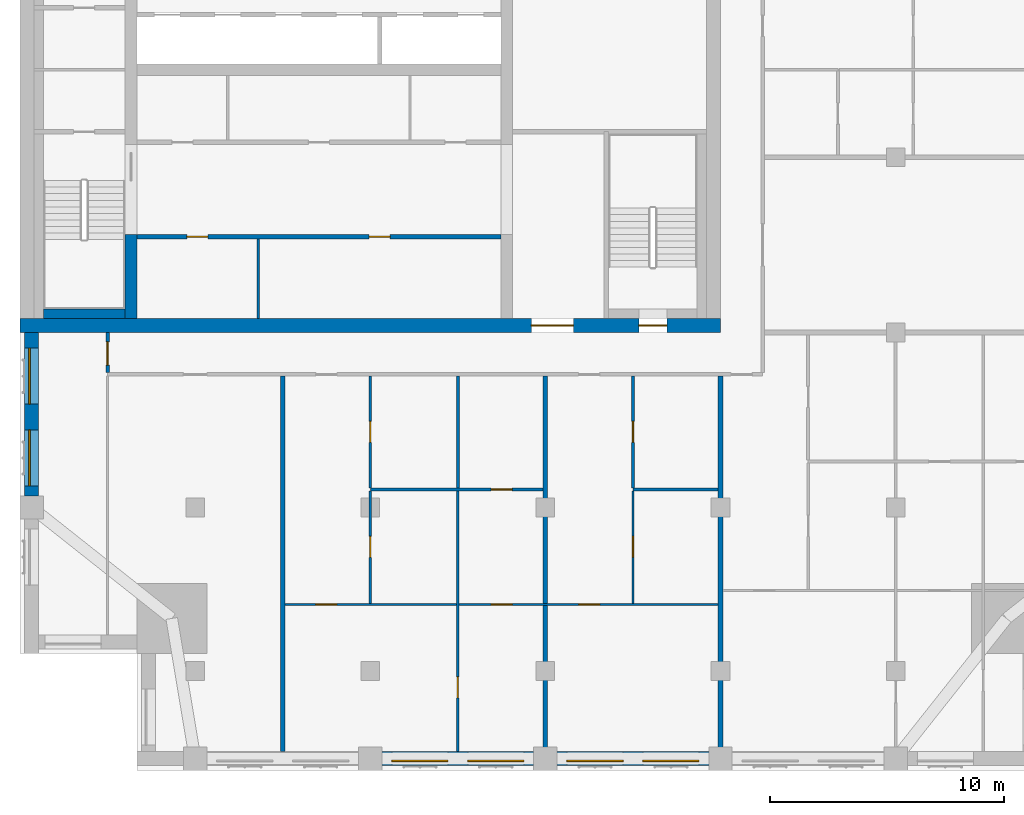
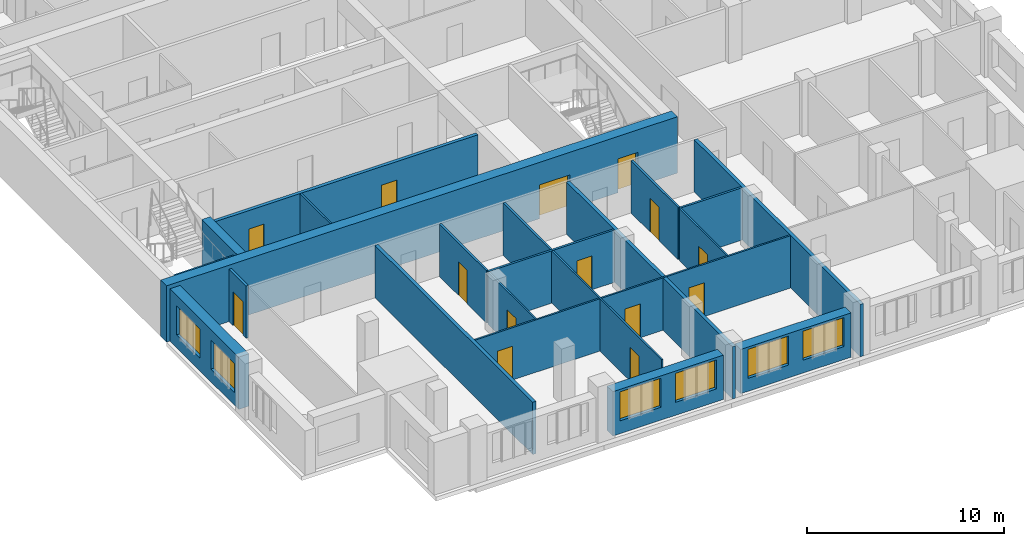
# One storey, part 3 of 11: 21 walls, 14 doors, 6 windows, 20 openings.
"""IFC4 building model written with IfcOpenShell, lengths in metres."""

from ifc_helpers import new_model, si_unit, direction, frame, frame_2d, origin, place, context, subcontext, project, spatial, rectangle, extrude, material, layer, layer_set, type_object, element, fill, save


model = new_model("IFC4")

# Units and contexts
model_context = context("Model", 3, precision=1e-05, world=origin(), true_north=direction((0.0, 1.0)))
body_context = subcontext(model_context, "Body", "Model", "MODEL_VIEW")
ifc_project = project(units=[si_unit("LENGTHUNIT", "METRE"), si_unit("AREAUNIT", "SQUARE_METRE"), si_unit("VOLUMEUNIT", "CUBIC_METRE"), si_unit("PLANEANGLEUNIT", "RADIAN"), si_unit("MASSUNIT", "GRAM", prefix="KILO")], contexts=[model_context])

# Site, building, storey
site_placement = place(None, origin())
site = spatial("IfcSite", under=ifc_project, at=site_placement, CompositionType="ELEMENT")
building_placement = place(site_placement, origin())
building = spatial("IfcBuilding", under=site, at=building_placement, Name="Tamorin Gate", CompositionType="ELEMENT")
storey_placement = place(building_placement, frame((0.0, 0.0, 233.699951171875)))
storey = spatial("IfcBuildingStorey", under=building, at=storey_placement, Name="L58", CompositionType="ELEMENT", Elevation=233.699951171875)

# Wall, openings, windows
ifc_material_1 = material(Name="Precast concrete C40/50", Category="concrete")
ifc_layer_1 = layer(ifc_material_1, 0.60009765625)
ifc_layer_set_1 = layer_set([ifc_layer_1], Name="Precast concrete C40/50")
wall_type_1 = type_object("IfcWallType", Name="Board-marked concrete facade panel 600", PredefinedType="SOLIDWALL", material=ifc_layer_set_1)
wall_1_placement = place(storey_placement, frame((45.5, 41.75, 0.0), z_axis=(0.0, 0.0, 1.0), x_axis=(1.0, 0.0, 0.0)))
wall_1 = element("IfcWall", 1, at=wall_1_placement, inside=storey, type_object=wall_type_1, Name="Facade panel", PredefinedType="SOLIDWALL", context=body_context, shape_type="SweptSolid", body=[
    extrude(rectangle(XDim=6.5, YDim=0.60009765625, at=frame_2d((3.25, 0.0))), origin(), (0.0, 0.0, 1.0), 2.75),
])
opening_1_placement = place(wall_1_placement, frame((0.425048828125, 0.0, 0.800048828125)))
opening_1 = element("IfcOpeningElement", 2, at=opening_1_placement, cuts=wall_1, Name="Opening WN1", PredefinedType="OPENING", context=body_context, shape_type="SweptSolid", body=[
    extrude(rectangle(XDim=2.39990234375, YDim=1.800048828125, at=frame_2d((1.199951171875, 0.89990234375))), frame((0.0, 0.31005859375, 0.0), z_axis=(0.0, -1.0, 0.0), x_axis=(1.0, 0.0, 0.0)), (0.0, 0.0, 1.0), 0.6201171875),
])
opening_2_placement = place(wall_1_placement, frame((3.675048828125, 0.0, 0.800048828125)))
opening_2 = element("IfcOpeningElement", 3, at=opening_2_placement, cuts=wall_1, Name="Opening WN1", PredefinedType="OPENING", context=body_context, shape_type="SweptSolid", body=[
    extrude(rectangle(XDim=2.39990234375, YDim=1.800048828125, at=frame_2d((1.199951171875, 0.89990234375))), frame((0.0, 0.31005859375, 0.0), z_axis=(0.0, -1.0, 0.0), x_axis=(1.0, 0.0, 0.0)), (0.0, 0.0, 1.0), 0.6201171875),
])
ifc_material_2 = material(Name="Clear glass in aluminium frame", Category="aluminium")
window_type = type_object("IfcWindowType", Name="Deep-set window 2400x1800", PartitioningType="SINGLE_PANEL", PredefinedType="WINDOW", material=ifc_material_2)
window_1_placement = place(opening_1_placement, origin())
window_1 = element("IfcWindow", 4, at=window_1_placement, inside=storey, type_object=window_type, Name="Deep-set window", OverallHeight=1.800048828125, OverallWidth=2.39990234375, PartitioningType="SINGLE_PANEL", PredefinedType="WINDOW", context=body_context, shape_type="SweptSolid", body=[
    extrude(rectangle(XDim=2.39990234375, YDim=1.800048828125, at=frame_2d((1.199951171875, 0.89990234375))), frame((0.0, -0.070068359375, 0.0), z_axis=(0.0, -1.0, 0.0), x_axis=(1.0, 0.0, 0.0)), (0.0, 0.0, 1.0), 0.06005859375),
])
fill(opening_1, window_1)
window_2_placement = place(opening_2_placement, origin())
window_2 = element("IfcWindow", 5, at=window_2_placement, inside=storey, type_object=window_type, Name="Deep-set window", OverallHeight=1.800048828125, OverallWidth=2.39990234375, PartitioningType="SINGLE_PANEL", PredefinedType="WINDOW", context=body_context, shape_type="SweptSolid", body=[
    extrude(rectangle(XDim=2.39990234375, YDim=1.800048828125, at=frame_2d((1.199951171875, 0.89990234375))), frame((0.0, -0.070068359375, 0.0), z_axis=(0.0, -1.0, 0.0), x_axis=(1.0, 0.0, 0.0)), (0.0, 0.0, 1.0), 0.06005859375),
])
fill(opening_2, window_2)

wall_2_placement = place(storey_placement, frame((53.0, 41.75, 0.0), z_axis=(0.0, 0.0, 1.0), x_axis=(1.0, 0.0, 0.0)))
wall_2 = element("IfcWall", 6, at=wall_2_placement, inside=storey, type_object=wall_type_1, Name="Facade panel", PredefinedType="SOLIDWALL", context=body_context, shape_type="SweptSolid", body=[
    extrude(rectangle(XDim=6.5, YDim=0.60009765625, at=frame_2d((3.25, 0.0))), origin(), (0.0, 0.0, 1.0), 2.75),
])
opening_3_placement = place(wall_2_placement, frame((0.425048828125, 0.0, 0.800048828125)))
opening_3 = element("IfcOpeningElement", 7, at=opening_3_placement, cuts=wall_2, Name="Opening WN1", PredefinedType="OPENING", context=body_context, shape_type="SweptSolid", body=[
    extrude(rectangle(XDim=2.39990234375, YDim=1.800048828125, at=frame_2d((1.199951171875, 0.89990234375))), frame((0.0, 0.31005859375, 0.0), z_axis=(0.0, -1.0, 0.0), x_axis=(1.0, 0.0, 0.0)), (0.0, 0.0, 1.0), 0.6201171875),
])
opening_4_placement = place(wall_2_placement, frame((3.675048828125, 0.0, 0.800048828125)))
opening_4 = element("IfcOpeningElement", 8, at=opening_4_placement, cuts=wall_2, Name="Opening WN1", PredefinedType="OPENING", context=body_context, shape_type="SweptSolid", body=[
    extrude(rectangle(XDim=2.39990234375, YDim=1.800048828125, at=frame_2d((1.199951171875, 0.89990234375))), frame((0.0, 0.31005859375, 0.0), z_axis=(0.0, -1.0, 0.0), x_axis=(1.0, 0.0, 0.0)), (0.0, 0.0, 1.0), 0.6201171875),
])
window_3_placement = place(opening_3_placement, origin())
window_3 = element("IfcWindow", 9, at=window_3_placement, inside=storey, type_object=window_type, Name="Deep-set window", OverallHeight=1.800048828125, OverallWidth=2.39990234375, PartitioningType="SINGLE_PANEL", PredefinedType="WINDOW", context=body_context, shape_type="SweptSolid", body=[
    extrude(rectangle(XDim=2.39990234375, YDim=1.800048828125, at=frame_2d((1.199951171875, 0.89990234375))), frame((0.0, -0.070068359375, 0.0), z_axis=(0.0, -1.0, 0.0), x_axis=(1.0, 0.0, 0.0)), (0.0, 0.0, 1.0), 0.06005859375),
])
fill(opening_3, window_3)
window_4_placement = place(opening_4_placement, origin())
window_4 = element("IfcWindow", 10, at=window_4_placement, inside=storey, type_object=window_type, Name="Deep-set window", OverallHeight=1.800048828125, OverallWidth=2.39990234375, PartitioningType="SINGLE_PANEL", PredefinedType="WINDOW", context=body_context, shape_type="SweptSolid", body=[
    extrude(rectangle(XDim=2.39990234375, YDim=1.800048828125, at=frame_2d((1.199951171875, 0.89990234375))), frame((0.0, -0.070068359375, 0.0), z_axis=(0.0, -1.0, 0.0), x_axis=(1.0, 0.0, 0.0)), (0.0, 0.0, 1.0), 0.06005859375),
])
fill(opening_4, window_4)

wall_3_placement = place(storey_placement, frame((30.5, 60.0, 0.0), z_axis=(0.0, 0.0, 1.0), x_axis=(0.0, -1.0, 0.0)))
wall_3 = element("IfcWall", 11, at=wall_3_placement, inside=storey, type_object=wall_type_1, Name="Facade panel", PredefinedType="SOLIDWALL", context=body_context, shape_type="SweptSolid", body=[
    extrude(rectangle(XDim=7.0, YDim=0.60009765625, at=frame_2d((3.5, 0.0))), origin(), (0.0, 0.0, 1.0), 3.25),
])
opening_5_placement = place(wall_3_placement, frame((4.175048828125, 0.0, 0.800048828125)))
opening_5 = element("IfcOpeningElement", 12, at=opening_5_placement, cuts=wall_3, Name="Opening WN1", PredefinedType="OPENING", context=body_context, shape_type="SweptSolid", body=[
    extrude(rectangle(XDim=2.39990234375, YDim=1.800048828125, at=frame_2d((1.199951171875, 0.89990234375))), frame((0.0, 0.31005859375, 0.0), z_axis=(0.0, -1.0, 0.0), x_axis=(1.0, 0.0, 0.0)), (0.0, 0.0, 1.0), 0.6201171875),
])
opening_6_placement = place(wall_3_placement, frame((0.675048828125, 0.0, 0.800048828125)))
opening_6 = element("IfcOpeningElement", 13, at=opening_6_placement, cuts=wall_3, Name="Opening WN1", PredefinedType="OPENING", context=body_context, shape_type="SweptSolid", body=[
    extrude(rectangle(XDim=2.39990234375, YDim=1.800048828125, at=frame_2d((1.199951171875, 0.89990234375))), frame((0.0, 0.31005859375, 0.0), z_axis=(0.0, -1.0, 0.0), x_axis=(1.0, 0.0, 0.0)), (0.0, 0.0, 1.0), 0.6201171875),
])
window_5_placement = place(opening_5_placement, origin())
window_5 = element("IfcWindow", 14, at=window_5_placement, inside=storey, type_object=window_type, Name="Deep-set window", OverallHeight=1.800048828125, OverallWidth=2.39990234375, PartitioningType="SINGLE_PANEL", PredefinedType="WINDOW", context=body_context, shape_type="SweptSolid", body=[
    extrude(rectangle(XDim=2.39990234375, YDim=1.800048828125, at=frame_2d((1.199951171875, 0.89990234375))), frame((0.0, -0.070068359375, 0.0), z_axis=(0.0, -1.0, 0.0), x_axis=(1.0, 0.0, 0.0)), (0.0, 0.0, 1.0), 0.06005859375),
])
fill(opening_5, window_5)
window_6_placement = place(opening_6_placement, origin())
window_6 = element("IfcWindow", 15, at=window_6_placement, inside=storey, type_object=window_type, Name="Deep-set window", OverallHeight=1.800048828125, OverallWidth=2.39990234375, PartitioningType="SINGLE_PANEL", PredefinedType="WINDOW", context=body_context, shape_type="SweptSolid", body=[
    extrude(rectangle(XDim=2.39990234375, YDim=1.800048828125, at=frame_2d((1.199951171875, 0.89990234375))), frame((0.0, -0.070068359375, 0.0), z_axis=(0.0, -1.0, 0.0), x_axis=(1.0, 0.0, 0.0)), (0.0, 0.0, 1.0), 0.06005859375),
])
fill(opening_6, window_6)

# Wall, opening, door
ifc_material_3 = material(Name="Gypsum board partition")
ifc_layer_2 = layer(ifc_material_3, 0.14990234375)
ifc_layer_set_2 = layer_set([ifc_layer_2], Name="Corridor wall 150")
wall_type_2 = type_object("IfcWallType", Name="Corridor wall 150", PredefinedType="PARTITIONING", material=ifc_layer_set_2)
wall_4_placement = place(storey_placement, frame((33.75, 58.27490234375, 0.0), z_axis=(0.0, 0.0, 1.0), x_axis=(0.0, 1.0, 0.0)))
wall_4 = element("IfcWall", 16, at=wall_4_placement, inside=storey, type_object=wall_type_2, Name="Corridor wall 150", PredefinedType="PARTITIONING", context=body_context, shape_type="SweptSolid", body=[
    extrude(rectangle(XDim=1.72509765625, YDim=0.14990234375, at=frame_2d((0.862548828125, 0.0))), origin(), (0.0, 0.0, 1.0), 3.25),
])
opening_7_placement = place(wall_4_placement, frame((0.324951171875, 0.0, 0.0)))
opening_7 = element("IfcOpeningElement", 17, at=opening_7_placement, cuts=wall_4, Name="Opening DR8001", PredefinedType="OPENING", context=body_context, shape_type="SweptSolid", body=[
    extrude(rectangle(XDim=1.0, YDim=2.10009765625, at=frame_2d((0.5, 1.050048828125))), frame((0.0, 0.0849609375, 0.0), z_axis=(0.0, -1.0, 0.0), x_axis=(1.0, 0.0, 0.0)), (0.0, 0.0, 1.0), 0.169921875),
])
ifc_material_4 = material(Name="Timber door leaf", Category="wood")
door_type_1 = type_object("IfcDoorType", Name="Door 1000 x 2100 FD30S", OperationType="NOTDEFINED", PredefinedType="DOOR", material=ifc_material_4)
door_1_placement = place(opening_7_placement, origin())
door_1 = element("IfcDoor", 18, at=door_1_placement, inside=storey, type_object=door_type_1, Name="Door DR8001", OperationType="SINGLE_SWING_RIGHT", OverallHeight=2.10009765625, OverallWidth=1.0, PredefinedType="DOOR", context=body_context, shape_type="SweptSolid", body=[
    extrude(rectangle(XDim=1.0, YDim=2.10009765625, at=frame_2d((0.5, 1.050048828125))), frame((0.0, 0.02490234375, 0.0), z_axis=(0.0, -1.0, 0.0), x_axis=(1.0, 0.0, 0.0)), (0.0, 0.0, 1.0), 0.050048828125),
])
fill(opening_7, door_1)

# Walls
ifc_layer_3 = layer(ifc_material_3, 0.199951171875)
ifc_layer_set_3 = layer_set([ifc_layer_3], Name="Demising wall 200")
wall_type_3 = type_object("IfcWallType", Name="Demising wall 200", PredefinedType="PARTITIONING", material=ifc_layer_set_3)
wall_5_placement = place(storey_placement, frame((41.25, 42.06005859375, 0.0), z_axis=(0.0, 0.0, 1.0), x_axis=(0.0, 1.0, 0.0)))
element("IfcWall", 19, at=wall_5_placement, inside=storey, type_object=wall_type_3, Name="Demising wall 200", PredefinedType="PARTITIONING", context=body_context, shape_type="SweptSolid", body=[
    extrude(rectangle(XDim=16.06494140625, YDim=0.199951171875, at=frame_2d((8.032470703125, 0.0))), origin(), (0.0, 0.0, 1.0), 3.25),
])
for number, where, z_axis, x_axis, name in (
    (20, (52.5, 41.25, 0.0), (0.0, 0.0, 1.0), (0.0, 1.0, 0.0), "Demising wall 200"),
    (21, (60.0, 41.25, 0.0), (0.0, 0.0, 1.0), (0.0, 1.0, 0.0), "Demising wall 200"),
):
    element("IfcWall", number, at=place(storey_placement, frame(where, z_axis=z_axis, x_axis=x_axis)), inside=storey, type_object=wall_type_3, Name=name, PredefinedType="PARTITIONING", context=body_context, shape_type="SweptSolid", body=[
        extrude(rectangle(XDim=16.875, YDim=0.199951171875, at=frame_2d((8.4375, 0.0))), origin(), (0.0, 0.0, 1.0), 3.25),
    ])
ifc_material_5 = material(Name="Concrete C50/60", Category="concrete")
ifc_layer_4 = layer(ifc_material_5, 0.5)
ifc_layer_set_4 = layer_set([ifc_layer_4], Name="RC core internal wall 500 C50/60")
wall_type_4 = type_object("IfcWallType", Name="RC core internal wall 500 C50/60", PredefinedType="SHEAR", material=ifc_layer_set_4)
wall_6_placement = place(storey_placement, frame((34.75, 60.60009765625, 0.0), z_axis=(0.0, 0.0, 1.0), x_axis=(0.0, 1.0, 0.0)))
element("IfcWall", 22, at=wall_6_placement, inside=storey, type_object=wall_type_4, Name="Core cross wall L58", PredefinedType="SHEAR", context=body_context, shape_type="SweptSolid", body=[
    extrude(rectangle(XDim=3.599853515625, YDim=0.5, at=frame_2d((1.7998046875, 0.0))), origin(), (0.0, 0.0, 1.0), 3.5),
])

# Wall, openings, doors
ifc_layer_5 = layer(ifc_material_5, 0.60009765625)
ifc_layer_set_5 = layer_set([ifc_layer_5], Name="RC core wall 600 C50/60")
wall_type_5 = type_object("IfcWallType", Name="RC core wall 600 C50/60", PredefinedType="SHEAR", material=ifc_layer_set_5)
wall_7_placement = place(storey_placement, frame((30.0, 60.300048828125, 0.0), z_axis=(0.0, 0.0, 1.0), x_axis=(1.0, 0.0, 0.0)))
wall_7 = element("IfcWall", 23, at=wall_7_placement, inside=storey, type_object=wall_type_5, Name="Core wall L58", PredefinedType="SHEAR", context=body_context, shape_type="SweptSolid", body=[
    extrude(rectangle(XDim=30.0, YDim=0.60009765625, at=frame_2d((15.0, 0.0))), origin(), (0.0, 0.0, 1.0), 3.5),
])
opening_8_placement = place(wall_7_placement, frame((21.89990234375, 0.0, 0.0)))
opening_8 = element("IfcOpeningElement", 24, at=opening_8_placement, cuts=wall_7, Name="Opening DE1", PredefinedType="OPENING", context=body_context, shape_type="SweptSolid", body=[
    extrude(rectangle(XDim=1.800048828125, YDim=2.10009765625, at=frame_2d((0.89990234375, 1.050048828125))), frame((0.0, 0.31005859375, 0.0), z_axis=(0.0, -1.0, 0.0), x_axis=(1.0, 0.0, 0.0)), (0.0, 0.0, 1.0), 0.6201171875),
])
opening_9_placement = place(wall_7_placement, frame((26.5, 0.0, 0.0)))
opening_9 = element("IfcOpeningElement", 25, at=opening_9_placement, cuts=wall_7, Name="Opening DS1", PredefinedType="OPENING", context=body_context, shape_type="SweptSolid", body=[
    extrude(rectangle(XDim=1.199951171875, YDim=2.10009765625, at=frame_2d((0.60009765625, 1.050048828125))), frame((0.0, 0.31005859375, 0.0), z_axis=(0.0, -1.0, 0.0), x_axis=(1.0, 0.0, 0.0)), (0.0, 0.0, 1.0), 0.6201171875),
])
ifc_material_6 = material(Name="Steel fire door", Category="steel")
door_type_2 = type_object("IfcDoorType", Name="Lobby exit double door 1800 x 2100 EI 60", OperationType="DOUBLE_DOOR_SINGLE_SWING", PredefinedType="DOOR", material=ifc_material_6)
door_2_placement = place(opening_8_placement, origin())
door_2 = element("IfcDoor", 26, at=door_2_placement, inside=storey, type_object=door_type_2, Name="Lift lobby A exit door", OperationType="DOUBLE_DOOR_SINGLE_SWING", OverallHeight=2.10009765625, OverallWidth=1.800048828125, PredefinedType="DOOR", context=body_context, shape_type="SweptSolid", body=[
    extrude(rectangle(XDim=1.800048828125, YDim=2.10009765625, at=frame_2d((0.89990234375, 1.050048828125))), frame((0.0, 0.02490234375, 0.0), z_axis=(0.0, -1.0, 0.0), x_axis=(1.0, 0.0, 0.0)), (0.0, 0.0, 1.0), 0.050048828125),
])
fill(opening_8, door_2)
door_type_3 = type_object("IfcDoorType", Name="Stair door 1200 x 2100 EI 90", OperationType="SINGLE_SWING_LEFT", PredefinedType="DOOR", material=ifc_material_6)
door_3_placement = place(opening_9_placement, origin())
door_3 = element("IfcDoor", 27, at=door_3_placement, inside=storey, type_object=door_type_3, Name="ST3 door", OperationType="SINGLE_SWING_LEFT", OverallHeight=2.10009765625, OverallWidth=1.199951171875, PredefinedType="DOOR", context=body_context, shape_type="SweptSolid", body=[
    extrude(rectangle(XDim=1.199951171875, YDim=2.10009765625, at=frame_2d((0.60009765625, 1.050048828125))), frame((0.0, 0.02490234375, 0.0), z_axis=(0.0, -1.0, 0.0), x_axis=(1.0, 0.0, 0.0)), (0.0, 0.0, 1.0), 0.050048828125),
])
fill(opening_9, door_3)

ifc_layer_6 = layer(ifc_material_3, 0.10009765625)
ifc_layer_set_6 = layer_set([ifc_layer_6], Name="Room partition 100")
wall_type_6 = type_object("IfcWallType", Name="Room partition 100", PredefinedType="PARTITIONING", material=ifc_layer_set_6)
wall_8_placement = place(storey_placement, frame((41.35009765625, 48.35009765625, 0.0), z_axis=(0.0, 0.0, 1.0), x_axis=(1.0, 0.0, 0.0)))
wall_8 = element("IfcWall", 28, at=wall_8_placement, inside=storey, type_object=wall_type_6, Name="Room partition 100", PredefinedType="PARTITIONING", context=body_context, shape_type="SweptSolid", body=[
    extrude(rectangle(XDim=18.5498046875, YDim=0.10009765625, at=frame_2d((9.27490234375, 0.0))), origin(), (0.0, 0.0, 1.0), 3.25),
])
opening_10_placement = place(wall_8_placement, frame((1.324951171875, 0.0, 0.0)))
opening_10 = element("IfcOpeningElement", 29, at=opening_10_placement, cuts=wall_8, Name="Opening DR8004", PredefinedType="OPENING", context=body_context, shape_type="SweptSolid", body=[
    extrude(rectangle(XDim=0.89990234375, YDim=2.10009765625, at=frame_2d((0.449951171875, 1.050048828125))), frame((0.0, 0.06005859375, 0.0), z_axis=(0.0, -1.0, 0.0), x_axis=(1.0, 0.0, 0.0)), (0.0, 0.0, 1.0), 0.1201171875),
])
opening_11_placement = place(wall_8_placement, frame((8.824951171875, 0.0, 0.0)))
opening_11 = element("IfcOpeningElement", 30, at=opening_11_placement, cuts=wall_8, Name="Opening DR8007", PredefinedType="OPENING", context=body_context, shape_type="SweptSolid", body=[
    extrude(rectangle(XDim=0.89990234375, YDim=2.10009765625, at=frame_2d((0.449951171875, 1.050048828125))), frame((0.0, 0.06005859375, 0.0), z_axis=(0.0, -1.0, 0.0), x_axis=(1.0, 0.0, 0.0)), (0.0, 0.0, 1.0), 0.1201171875),
])
opening_12_placement = place(wall_8_placement, frame((12.574951171875, 0.0, 0.0)))
opening_12 = element("IfcOpeningElement", 31, at=opening_12_placement, cuts=wall_8, Name="Opening DR8011", PredefinedType="OPENING", context=body_context, shape_type="SweptSolid", body=[
    extrude(rectangle(XDim=0.89990234375, YDim=2.10009765625, at=frame_2d((0.449951171875, 1.050048828125))), frame((0.0, 0.06005859375, 0.0), z_axis=(0.0, -1.0, 0.0), x_axis=(1.0, 0.0, 0.0)), (0.0, 0.0, 1.0), 0.1201171875),
])
door_type_4 = type_object("IfcDoorType", Name="Door 900 x 2100", OperationType="NOTDEFINED", PredefinedType="DOOR", material=ifc_material_4)
door_4_placement = place(opening_10_placement, origin())
door_4 = element("IfcDoor", 32, at=door_4_placement, inside=storey, type_object=door_type_4, Name="Door DR8004", OperationType="SINGLE_SWING_LEFT", OverallHeight=2.10009765625, OverallWidth=0.89990234375, PredefinedType="DOOR", context=body_context, shape_type="SweptSolid", body=[
    extrude(rectangle(XDim=0.89990234375, YDim=2.10009765625, at=frame_2d((0.449951171875, 1.050048828125))), frame((0.0, 0.02490234375, 0.0), z_axis=(0.0, -1.0, 0.0), x_axis=(1.0, 0.0, 0.0)), (0.0, 0.0, 1.0), 0.050048828125),
])
fill(opening_10, door_4)
door_5_placement = place(opening_11_placement, origin())
door_5 = element("IfcDoor", 33, at=door_5_placement, inside=storey, type_object=door_type_4, Name="Door DR8007", OperationType="SINGLE_SWING_LEFT", OverallHeight=2.10009765625, OverallWidth=0.89990234375, PredefinedType="DOOR", context=body_context, shape_type="SweptSolid", body=[
    extrude(rectangle(XDim=0.89990234375, YDim=2.10009765625, at=frame_2d((0.449951171875, 1.050048828125))), frame((0.0, 0.02490234375, 0.0), z_axis=(0.0, -1.0, 0.0), x_axis=(1.0, 0.0, 0.0)), (0.0, 0.0, 1.0), 0.050048828125),
])
fill(opening_11, door_5)
door_6_placement = place(opening_12_placement, origin())
door_6 = element("IfcDoor", 34, at=door_6_placement, inside=storey, type_object=door_type_4, Name="Door DR8011", OperationType="SINGLE_SWING_LEFT", OverallHeight=2.10009765625, OverallWidth=0.89990234375, PredefinedType="DOOR", context=body_context, shape_type="SweptSolid", body=[
    extrude(rectangle(XDim=0.89990234375, YDim=2.10009765625, at=frame_2d((0.449951171875, 1.050048828125))), frame((0.0, 0.02490234375, 0.0), z_axis=(0.0, -1.0, 0.0), x_axis=(1.0, 0.0, 0.0)), (0.0, 0.0, 1.0), 0.050048828125),
])
fill(opening_12, door_6)

# Wall, opening, door
wall_9_placement = place(storey_placement, frame((45.0, 48.39990234375, 0.0), z_axis=(0.0, 0.0, 1.0), x_axis=(0.0, 1.0, 0.0)))
wall_9 = element("IfcWall", 35, at=wall_9_placement, inside=storey, type_object=wall_type_6, Name="Room partition 100", PredefinedType="PARTITIONING", context=body_context, shape_type="SweptSolid", body=[
    extrude(rectangle(XDim=4.8125, YDim=0.10009765625, at=frame_2d((2.40625, 0.0))), origin(), (0.0, 0.0, 1.0), 3.25),
])
opening_13_placement = place(wall_9_placement, frame((1.96240234375, 0.0, 0.0)))
opening_13 = element("IfcOpeningElement", 36, at=opening_13_placement, cuts=wall_9, Name="Opening DR8005", PredefinedType="OPENING", context=body_context, shape_type="SweptSolid", body=[
    extrude(rectangle(XDim=0.89990234375, YDim=2.10009765625, at=frame_2d((0.449951171875, 1.050048828125))), frame((0.0, 0.06005859375, 0.0), z_axis=(0.0, -1.0, 0.0), x_axis=(1.0, 0.0, 0.0)), (0.0, 0.0, 1.0), 0.1201171875),
])
door_7_placement = place(opening_13_placement, origin())
door_7 = element("IfcDoor", 37, at=door_7_placement, inside=storey, type_object=door_type_4, Name="Door DR8005", OperationType="SINGLE_SWING_LEFT", OverallHeight=2.10009765625, OverallWidth=0.89990234375, PredefinedType="DOOR", context=body_context, shape_type="SweptSolid", body=[
    extrude(rectangle(XDim=0.89990234375, YDim=2.10009765625, at=frame_2d((0.449951171875, 1.050048828125))), frame((0.0, 0.02490234375, 0.0), z_axis=(0.0, -1.0, 0.0), x_axis=(1.0, 0.0, 0.0)), (0.0, 0.0, 1.0), 0.050048828125),
])
fill(opening_13, door_7)

wall_10_placement = place(storey_placement, frame((48.75, 42.06005859375, 0.0), z_axis=(0.0, 0.0, 1.0), x_axis=(0.0, 1.0, 0.0)))
wall_10 = element("IfcWall", 38, at=wall_10_placement, inside=storey, type_object=wall_type_6, Name="Room partition 100", PredefinedType="PARTITIONING", context=body_context, shape_type="SweptSolid", body=[
    extrude(rectangle(XDim=11.15234375, YDim=0.10009765625, at=frame_2d((5.576171875, 0.0))), origin(), (0.0, 0.0, 1.0), 3.25),
])
opening_14_placement = place(wall_10_placement, frame((2.2900390625, 0.0, 0.0)))
opening_14 = element("IfcOpeningElement", 39, at=opening_14_placement, cuts=wall_10, Name="Opening DR8009", PredefinedType="OPENING", context=body_context, shape_type="SweptSolid", body=[
    extrude(rectangle(XDim=0.89990234375, YDim=2.10009765625, at=frame_2d((0.449951171875, 1.050048828125))), frame((0.0, 0.06005859375, 0.0), z_axis=(0.0, -1.0, 0.0), x_axis=(1.0, 0.0, 0.0)), (0.0, 0.0, 1.0), 0.1201171875),
])
door_8_placement = place(opening_14_placement, origin())
door_8 = element("IfcDoor", 40, at=door_8_placement, inside=storey, type_object=door_type_4, Name="Door DR8009", OperationType="SINGLE_SWING_LEFT", OverallHeight=2.10009765625, OverallWidth=0.89990234375, PredefinedType="DOOR", context=body_context, shape_type="SweptSolid", body=[
    extrude(rectangle(XDim=0.89990234375, YDim=2.10009765625, at=frame_2d((0.449951171875, 1.050048828125))), frame((0.0, 0.02490234375, 0.0), z_axis=(0.0, -1.0, 0.0), x_axis=(1.0, 0.0, 0.0)), (0.0, 0.0, 1.0), 0.050048828125),
])
fill(opening_14, door_8)

wall_11_placement = place(storey_placement, frame((56.25, 48.39990234375, 0.0), z_axis=(0.0, 0.0, 1.0), x_axis=(0.0, 1.0, 0.0)))
wall_11 = element("IfcWall", 41, at=wall_11_placement, inside=storey, type_object=wall_type_6, Name="Room partition 100", PredefinedType="PARTITIONING", context=body_context, shape_type="SweptSolid", body=[
    extrude(rectangle(XDim=4.8125, YDim=0.10009765625, at=frame_2d((2.40625, 0.0))), origin(), (0.0, 0.0, 1.0), 3.25),
])
opening_15_placement = place(wall_11_placement, frame((1.96240234375, 0.0, 0.0)))
opening_15 = element("IfcOpeningElement", 42, at=opening_15_placement, cuts=wall_11, Name="Opening DR8012", PredefinedType="OPENING", context=body_context, shape_type="SweptSolid", body=[
    extrude(rectangle(XDim=0.89990234375, YDim=2.10009765625, at=frame_2d((0.449951171875, 1.050048828125))), frame((0.0, 0.06005859375, 0.0), z_axis=(0.0, -1.0, 0.0), x_axis=(1.0, 0.0, 0.0)), (0.0, 0.0, 1.0), 0.1201171875),
])
door_9_placement = place(opening_15_placement, origin())
door_9 = element("IfcDoor", 43, at=door_9_placement, inside=storey, type_object=door_type_4, Name="Door DR8012", OperationType="SINGLE_SWING_LEFT", OverallHeight=2.10009765625, OverallWidth=0.89990234375, PredefinedType="DOOR", context=body_context, shape_type="SweptSolid", body=[
    extrude(rectangle(XDim=0.89990234375, YDim=2.10009765625, at=frame_2d((0.449951171875, 1.050048828125))), frame((0.0, 0.02490234375, 0.0), z_axis=(0.0, -1.0, 0.0), x_axis=(1.0, 0.0, 0.0)), (0.0, 0.0, 1.0), 0.050048828125),
])
fill(opening_15, door_9)

# Wall, openings, doors
ifc_layer_7 = layer(ifc_material_3, 0.199951171875)
ifc_layer_set_7 = layer_set([ifc_layer_7], Name="Service room face wall 200 EI 60")
wall_type_7 = type_object("IfcWallType", Name="Service room face wall 200 EI 60", PredefinedType="PARTITIONING", material=ifc_layer_set_7)
wall_12_placement = place(storey_placement, frame((35.0, 64.10009765625, 0.0), z_axis=(0.0, 0.0, 1.0), x_axis=(1.0, 0.0, 0.0)))
wall_12 = element("IfcWall", 44, at=wall_12_placement, inside=storey, type_object=wall_type_7, Name="Service room face wall", PredefinedType="PARTITIONING", context=body_context, shape_type="SweptSolid", body=[
    extrude(rectangle(XDim=15.60009765625, YDim=0.199951171875, at=frame_2d((7.800048828125, 0.0))), origin(), (0.0, 0.0, 1.0), 3.25),
])
opening_16_placement = place(wall_12_placement, frame((2.14990234375, 0.0, 0.0)))
opening_16 = element("IfcOpeningElement", 45, at=opening_16_placement, cuts=wall_12, Name="Opening DK1", PredefinedType="OPENING", context=body_context, shape_type="SweptSolid", body=[
    extrude(rectangle(XDim=0.89990234375, YDim=2.10009765625, at=frame_2d((0.449951171875, 1.050048828125))), frame((0.0, 0.10986328125, 0.0), z_axis=(0.0, -1.0, 0.0), x_axis=(1.0, 0.0, 0.0)), (0.0, 0.0, 1.0), 0.219970703125),
])
opening_17_placement = place(wall_12_placement, frame((9.949951171875, 0.0, 0.0)))
opening_17 = element("IfcOpeningElement", 46, at=opening_17_placement, cuts=wall_12, Name="Opening DK1", PredefinedType="OPENING", context=body_context, shape_type="SweptSolid", body=[
    extrude(rectangle(XDim=0.89990234375, YDim=2.10009765625, at=frame_2d((0.449951171875, 1.050048828125))), frame((0.0, 0.10986328125, 0.0), z_axis=(0.0, -1.0, 0.0), x_axis=(1.0, 0.0, 0.0)), (0.0, 0.0, 1.0), 0.219970703125),
])
ifc_material_7 = material(Name="Timber fire door", Category="wood")
door_type_5 = type_object("IfcDoorType", Name="Service room door 900 x 2100 EI 60", OperationType="SINGLE_SWING_LEFT", PredefinedType="DOOR", material=ifc_material_7)
door_10_placement = place(opening_16_placement, origin())
door_10 = element("IfcDoor", 47, at=door_10_placement, inside=storey, type_object=door_type_5, Name="Door Cleaner's store", OperationType="SINGLE_SWING_RIGHT", OverallHeight=2.10009765625, OverallWidth=0.89990234375, PredefinedType="DOOR", context=body_context, shape_type="SweptSolid", body=[
    extrude(rectangle(XDim=0.89990234375, YDim=2.10009765625, at=frame_2d((0.449951171875, 1.050048828125))), frame((0.0, 0.02490234375, 0.0), z_axis=(0.0, -1.0, 0.0), x_axis=(1.0, 0.0, 0.0)), (0.0, 0.0, 1.0), 0.050048828125),
])
fill(opening_16, door_10)
door_11_placement = place(opening_17_placement, origin())
door_11 = element("IfcDoor", 48, at=door_11_placement, inside=storey, type_object=door_type_5, Name="Door Linen store", OperationType="SINGLE_SWING_LEFT", OverallHeight=2.10009765625, OverallWidth=0.89990234375, PredefinedType="DOOR", context=body_context, shape_type="SweptSolid", body=[
    extrude(rectangle(XDim=0.89990234375, YDim=2.10009765625, at=frame_2d((0.449951171875, 1.050048828125))), frame((0.0, 0.02490234375, 0.0), z_axis=(0.0, -1.0, 0.0), x_axis=(1.0, 0.0, 0.0)), (0.0, 0.0, 1.0), 0.050048828125),
])
fill(opening_17, door_11)

# Walls
ifc_layer_8 = layer(ifc_material_3, 0.10009765625)
ifc_layer_set_8 = layer_set([ifc_layer_8], Name="Service room partition 100 EI 60")
wall_type_8 = type_object("IfcWallType", Name="Service room partition 100 EI 60", PredefinedType="PARTITIONING", material=ifc_layer_set_8)
wall_13_placement = place(storey_placement, frame((40.199951171875, 60.60009765625, 0.0), z_axis=(0.0, 0.0, 1.0), x_axis=(0.0, 1.0, 0.0)))
element("IfcWall", 49, at=wall_13_placement, inside=storey, type_object=wall_type_8, Name="Service room partition", PredefinedType="PARTITIONING", context=body_context, shape_type="SweptSolid", body=[
    extrude(rectangle(XDim=3.39990234375, YDim=0.10009765625, at=frame_2d((1.699951171875, 0.0))), origin(), (0.0, 0.0, 1.0), 3.25),
])
ifc_layer_9 = layer(ifc_material_5, 0.39990234375)
ifc_layer_set_9 = layer_set([ifc_layer_9], Name="Stair lining wall 400 EI 120 C50/60")
wall_type_9 = type_object("IfcWallType", Name="Stair lining wall 400 EI 120 C50/60", PredefinedType="SOLIDWALL", material=ifc_layer_set_9)
wall_14_placement = place(storey_placement, frame((31.0, 60.800048828125, 0.0), z_axis=(0.0, 0.0, 1.0), x_axis=(1.0, 0.0, 0.0)))
element("IfcWall", 50, at=wall_14_placement, inside=storey, type_object=wall_type_9, Name="Stair lining wall", PredefinedType="SOLIDWALL", context=body_context, shape_type="SweptSolid", body=[
    extrude(rectangle(XDim=3.5, YDim=0.39990234375, at=frame_2d((1.75, 0.0))), origin(), (0.0, 0.0, 1.0), 3.25),
])

# Wall, opening, door
ifc_layer_10 = layer(ifc_material_3, 0.125)
ifc_layer_set_10 = layer_set([ifc_layer_10], Name="Wet wall 125")
wall_type_10 = type_object("IfcWallType", Name="Wet wall 125", PredefinedType="PARTITIONING", material=ifc_layer_set_10)
wall_15_placement = place(storey_placement, frame((45.0, 53.27490234375, 0.0), z_axis=(0.0, 0.0, 1.0), x_axis=(1.0, 0.0, 0.0)))
wall_15 = element("IfcWall", 51, at=wall_15_placement, inside=storey, type_object=wall_type_10, Name="Wet wall 125", PredefinedType="PARTITIONING", context=body_context, shape_type="SweptSolid", body=[
    extrude(rectangle(XDim=7.39990234375, YDim=0.125, at=frame_2d((3.699951171875, 0.0))), origin(), (0.0, 0.0, 1.0), 3.25),
])
opening_18_placement = place(wall_15_placement, frame((5.175048828125, 0.0, 0.0)))
opening_18 = element("IfcOpeningElement", 52, at=opening_18_placement, cuts=wall_15, Name="Opening DR8008", PredefinedType="OPENING", context=body_context, shape_type="SweptSolid", body=[
    extrude(rectangle(XDim=0.89990234375, YDim=2.10009765625, at=frame_2d((0.449951171875, 1.050048828125))), frame((0.0, 0.072509765625, 0.0), z_axis=(0.0, -1.0, 0.0), x_axis=(1.0, 0.0, 0.0)), (0.0, 0.0, 1.0), 0.14501953125),
])
door_12_placement = place(opening_18_placement, origin())
door_12 = element("IfcDoor", 53, at=door_12_placement, inside=storey, type_object=door_type_4, Name="Door DR8008", OperationType="SINGLE_SWING_LEFT", OverallHeight=2.10009765625, OverallWidth=0.89990234375, PredefinedType="DOOR", context=body_context, shape_type="SweptSolid", body=[
    extrude(rectangle(XDim=0.89990234375, YDim=2.10009765625, at=frame_2d((0.449951171875, 1.050048828125))), frame((0.0, 0.02490234375, 0.0), z_axis=(0.0, -1.0, 0.0), x_axis=(1.0, 0.0, 0.0)), (0.0, 0.0, 1.0), 0.050048828125),
])
fill(opening_18, door_12)

# Wall
wall_16_placement = place(storey_placement, frame((56.25, 53.27490234375, 0.0), z_axis=(0.0, 0.0, 1.0), x_axis=(1.0, 0.0, 0.0)))
element("IfcWall", 54, at=wall_16_placement, inside=storey, type_object=wall_type_10, Name="Wet wall 125", PredefinedType="PARTITIONING", context=body_context, shape_type="SweptSolid", body=[
    extrude(rectangle(XDim=3.64990234375, YDim=0.125, at=frame_2d((1.824951171875, 0.0))), origin(), (0.0, 0.0, 1.0), 3.25),
])

# Wall, opening, door
wall_17_placement = place(storey_placement, frame((45.0, 53.33740234375, 0.0), z_axis=(0.0, 0.0, 1.0), x_axis=(0.0, 1.0, 0.0)))
wall_17 = element("IfcWall", 55, at=wall_17_placement, inside=storey, type_object=wall_type_10, Name="Wet wall 125", PredefinedType="PARTITIONING", context=body_context, shape_type="SweptSolid", body=[
    extrude(rectangle(XDim=4.78759765625, YDim=0.125, at=frame_2d((2.393798828125, 0.0))), origin(), (0.0, 0.0, 1.0), 3.25),
])
opening_19_placement = place(wall_17_placement, frame((1.949951171875, 0.0, 0.0)))
opening_19 = element("IfcOpeningElement", 56, at=opening_19_placement, cuts=wall_17, Name="Opening DR8006", PredefinedType="OPENING", context=body_context, shape_type="SweptSolid", body=[
    extrude(rectangle(XDim=0.89990234375, YDim=2.10009765625, at=frame_2d((0.449951171875, 1.050048828125))), frame((0.0, 0.072509765625, 0.0), z_axis=(0.0, -1.0, 0.0), x_axis=(1.0, 0.0, 0.0)), (0.0, 0.0, 1.0), 0.14501953125),
])
door_13_placement = place(opening_19_placement, origin())
door_13 = element("IfcDoor", 57, at=door_13_placement, inside=storey, type_object=door_type_4, Name="Door DR8006", OperationType="SINGLE_SWING_RIGHT", OverallHeight=2.10009765625, OverallWidth=0.89990234375, PredefinedType="DOOR", context=body_context, shape_type="SweptSolid", body=[
    extrude(rectangle(XDim=0.89990234375, YDim=2.10009765625, at=frame_2d((0.449951171875, 1.050048828125))), frame((0.0, 0.02490234375, 0.0), z_axis=(0.0, -1.0, 0.0), x_axis=(1.0, 0.0, 0.0)), (0.0, 0.0, 1.0), 0.050048828125),
])
fill(opening_19, door_13)

# Wall
wall_18_placement = place(storey_placement, frame((48.75, 53.33740234375, 0.0), z_axis=(0.0, 0.0, 1.0), x_axis=(0.0, 1.0, 0.0)))
element("IfcWall", 58, at=wall_18_placement, inside=storey, type_object=wall_type_10, Name="Wet wall 125", PredefinedType="PARTITIONING", context=body_context, shape_type="SweptSolid", body=[
    extrude(rectangle(XDim=4.78759765625, YDim=0.125, at=frame_2d((2.393798828125, 0.0))), origin(), (0.0, 0.0, 1.0), 3.25),
])

# Wall, opening, door
wall_19_placement = place(storey_placement, frame((56.25, 53.33740234375, 0.0), z_axis=(0.0, 0.0, 1.0), x_axis=(0.0, 1.0, 0.0)))
wall_19 = element("IfcWall", 59, at=wall_19_placement, inside=storey, type_object=wall_type_10, Name="Wet wall 125", PredefinedType="PARTITIONING", context=body_context, shape_type="SweptSolid", body=[
    extrude(rectangle(XDim=4.78759765625, YDim=0.125, at=frame_2d((2.393798828125, 0.0))), origin(), (0.0, 0.0, 1.0), 3.25),
])
opening_20_placement = place(wall_19_placement, frame((1.949951171875, 0.0, 0.0)))
opening_20 = element("IfcOpeningElement", 60, at=opening_20_placement, cuts=wall_19, Name="Opening DR8013", PredefinedType="OPENING", context=body_context, shape_type="SweptSolid", body=[
    extrude(rectangle(XDim=0.89990234375, YDim=2.10009765625, at=frame_2d((0.449951171875, 1.050048828125))), frame((0.0, 0.072509765625, 0.0), z_axis=(0.0, -1.0, 0.0), x_axis=(1.0, 0.0, 0.0)), (0.0, 0.0, 1.0), 0.14501953125),
])
door_14_placement = place(opening_20_placement, origin())
door_14 = element("IfcDoor", 61, at=door_14_placement, inside=storey, type_object=door_type_4, Name="Door DR8013", OperationType="SINGLE_SWING_RIGHT", OverallHeight=2.10009765625, OverallWidth=0.89990234375, PredefinedType="DOOR", context=body_context, shape_type="SweptSolid", body=[
    extrude(rectangle(XDim=0.89990234375, YDim=2.10009765625, at=frame_2d((0.449951171875, 1.050048828125))), frame((0.0, 0.02490234375, 0.0), z_axis=(0.0, -1.0, 0.0), x_axis=(1.0, 0.0, 0.0)), (0.0, 0.0, 1.0), 0.050048828125),
])
fill(opening_20, door_14)

save(model, "model.ifc")
